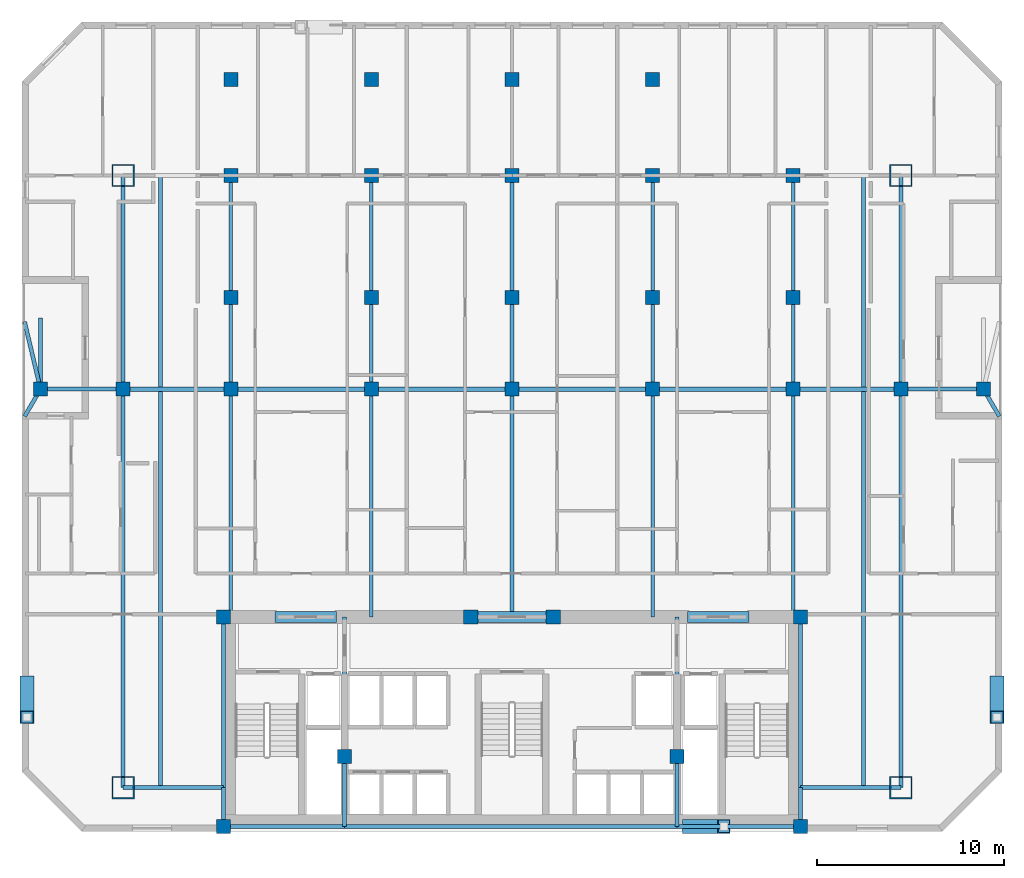
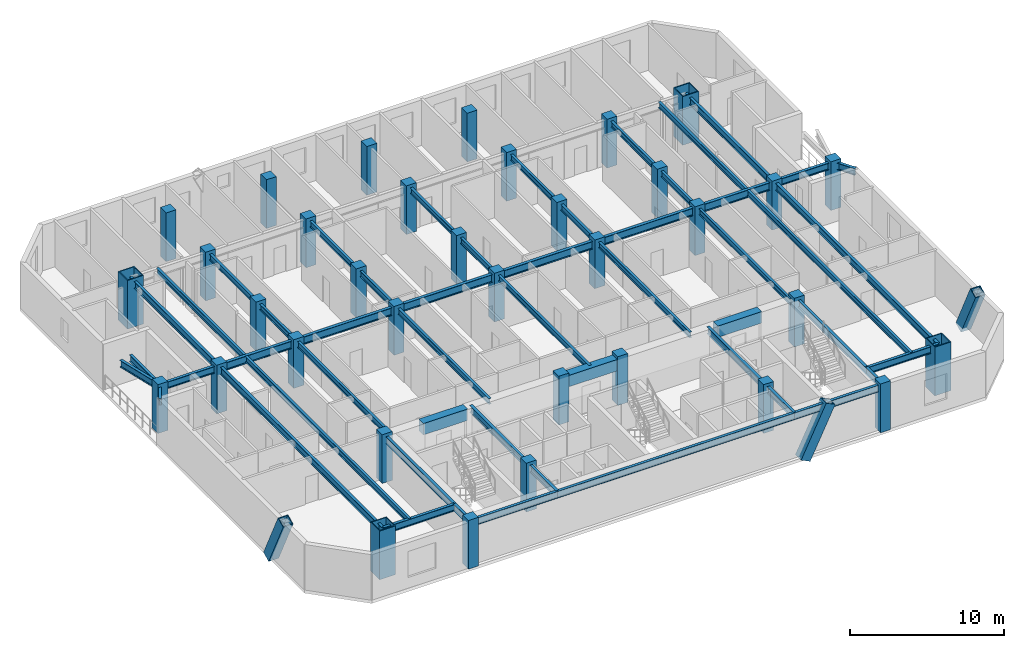
# One storey, part 1 of 11: 46 beams, 35 columns, 3 members.
"""IFC4 building model written with IfcOpenShell, lengths in metres."""

from ifc_helpers import new_model, si_unit, direction, frame, origin, origin_2d, place, context, subcontext, project, spatial, rectangle, hollow_rectangle, i_section, extrude, material, material_profile, profile_set, type_object, element, save


model = new_model("IFC4")

# Units and contexts
model_context = context("Model", 3, precision=1e-05, world=origin(), true_north=direction((0.0, 1.0)))
body_context = subcontext(model_context, "Body", "Model", "MODEL_VIEW")
ifc_project = project(units=[si_unit("LENGTHUNIT", "METRE"), si_unit("AREAUNIT", "SQUARE_METRE"), si_unit("VOLUMEUNIT", "CUBIC_METRE"), si_unit("PLANEANGLEUNIT", "RADIAN"), si_unit("MASSUNIT", "GRAM", prefix="KILO")], contexts=[model_context])

# Site, building, storey
site_placement = place(None, origin())
site = spatial("IfcSite", under=ifc_project, at=site_placement, CompositionType="ELEMENT")
building_placement = place(site_placement, origin())
building = spatial("IfcBuilding", under=site, at=building_placement, Name="Ventersveld Concourse Tower", CompositionType="ELEMENT")
storey_placement = place(building_placement, frame((0.0, 0.0, 111.85009765625)))
storey = spatial("IfcBuildingStorey", under=building, at=storey_placement, Name="L27", CompositionType="ELEMENT", Elevation=111.85009765625)

# Columns
ifc_material_1 = material(Name="Concrete C50/60", Category="concrete")
ifc_material_profile_1 = material_profile(ifc_material_1, rectangle(XDim=0.75, YDim=0.75, at=origin_2d()), Name="RC 750x750")
ifc_profile_set_1 = profile_set([ifc_material_profile_1], Name="Concrete C50/60")
column_type_1 = type_object("IfcColumnType", Name="COL-RC750", PredefinedType="COLUMN", material=ifc_profile_set_1)
for number, where, z_axis, x_axis, name in (
    (1, (13.35009765625, 0.280029296875, 0.0), (0.0, 0.0, 1.0), (1.0, 0.0, 0.0), "L27 Core Spine Column CC-SW"),
    (2, (44.14990234375, 0.280029296875, 0.0), (0.0, 0.0, 1.0), (1.0, 0.0, 0.0), "L27 Core Spine Column CC-SE"),
    (3, (13.35009765625, 11.449951171875, 0.0), (0.0, 0.0, 1.0), (1.0, 0.0, 0.0), "L27 Core Spine Column CC-NW"),
    (4, (44.14990234375, 11.449951171875, 0.0), (0.0, 0.0, 1.0), (1.0, 0.0, 0.0), "L27 Core Spine Column CC-NE"),
    (5, (19.820068359375, 4.0, 0.0), (0.0, 0.0, 1.0), (1.0, 0.0, 0.0), "L27 Core Spine Column CM-1"),
    (6, (37.550048828125, 4.0, 0.0), (0.0, 0.0, 1.0), (1.0, 0.0, 0.0), "L27 Core Spine Column CM-2"),
    (7, (26.550048828125, 11.449951171875, 0.0), (0.0, 0.0, 1.0), (1.0, 0.0, 0.0), "L27 Core Spine Column CM-3"),
    (8, (30.949951171875, 11.449951171875, 0.0), (0.0, 0.0, 1.0), (1.0, 0.0, 0.0), "L27 Core Spine Column CM-4"),
    (9, (3.60009765625, 23.60009765625, 0.0), (0.0, 0.0, 1.0), (1.0, 0.0, 0.0), "L27 Interior Gravity Column X=3.60 Y=23.60"),
    (10, (8.0, 23.60009765625, 0.0), (0.0, 0.0, 1.0), (1.0, 0.0, 0.0), "L27 Interior Gravity Column X=8.00 Y=23.60"),
    (11, (13.75, 23.60009765625, 0.0), (0.0, 0.0, 1.0), (1.0, 0.0, 0.0), "L27 Interior Gravity Column X=13.75 Y=23.60"),
    (12, (21.25, 23.60009765625, 0.0), (0.0, 0.0, 1.0), (1.0, 0.0, 0.0), "L27 Interior Gravity Column X=21.25 Y=23.60"),
    (13, (28.75, 23.60009765625, 0.0), (0.0, 0.0, 1.0), (1.0, 0.0, 0.0), "L27 Interior Gravity Column X=28.75 Y=23.60"),
    (14, (36.25, 23.60009765625, 0.0), (0.0, 0.0, 1.0), (1.0, 0.0, 0.0), "L27 Interior Gravity Column X=36.25 Y=23.60"),
    (15, (43.75, 23.60009765625, 0.0), (0.0, 0.0, 1.0), (1.0, 0.0, 0.0), "L27 Interior Gravity Column X=43.75 Y=23.60"),
    (16, (49.5, 23.60009765625, 0.0), (0.0, 0.0, 1.0), (1.0, 0.0, 0.0), "L27 Interior Gravity Column X=49.50 Y=23.60"),
    (17, (53.89990234375, 23.60009765625, 0.0), (0.0, 0.0, 1.0), (1.0, 0.0, 0.0), "L27 Interior Gravity Column X=53.90 Y=23.60"),
    (18, (13.75, 28.5, 0.0), (0.0, 0.0, 1.0), (1.0, 0.0, 0.0), "L27 Upper-North Gravity Column X=13.75 Y=28.50"),
    (19, (21.25, 28.5, 0.0), (0.0, 0.0, 1.0), (1.0, 0.0, 0.0), "L27 Upper-North Gravity Column X=21.25 Y=28.50"),
    (20, (28.75, 28.5, 0.0), (0.0, 0.0, 1.0), (1.0, 0.0, 0.0), "L27 Upper-North Gravity Column X=28.75 Y=28.50"),
    (21, (36.25, 28.5, 0.0), (0.0, 0.0, 1.0), (1.0, 0.0, 0.0), "L27 Upper-North Gravity Column X=36.25 Y=28.50"),
    (22, (43.75, 28.5, 0.0), (0.0, 0.0, 1.0), (1.0, 0.0, 0.0), "L27 Upper-North Gravity Column X=43.75 Y=28.50"),
    (23, (13.75, 40.1201171875, 0.0), (0.0, 0.0, 1.0), (1.0, 0.0, 0.0), "L27 North Brace Node Column X=13.75 Y=40.12"),
    (24, (21.25, 40.1201171875, 0.0), (0.0, 0.0, 1.0), (1.0, 0.0, 0.0), "L27 North Brace Node Column X=21.25 Y=40.12"),
    (25, (28.75, 40.1201171875, 0.0), (0.0, 0.0, 1.0), (1.0, 0.0, 0.0), "L27 North Brace Node Column X=28.75 Y=40.12"),
    (26, (36.25, 40.1201171875, 0.0), (0.0, 0.0, 1.0), (1.0, 0.0, 0.0), "L27 North Brace Node Column X=36.25 Y=40.12"),
    (27, (13.75, 35.0, 0.0), (0.0, 0.0, 1.0), (1.0, 0.0, 0.0), "L27 Mid-North Column X=13.75 Y=35.00"),
    (28, (21.25, 35.0, 0.0), (0.0, 0.0, 1.0), (1.0, 0.0, 0.0), "L27 Mid-North Column X=21.25 Y=35.00"),
    (29, (28.75, 35.0, 0.0), (0.0, 0.0, 1.0), (1.0, 0.0, 0.0), "L27 Mid-North Column X=28.75 Y=35.00"),
    (30, (36.25, 35.0, 0.0), (0.0, 0.0, 1.0), (1.0, 0.0, 0.0), "L27 Mid-North Column X=36.25 Y=35.00"),
    (31, (43.75, 35.0, 0.0), (0.0, 0.0, 1.0), (1.0, 0.0, 0.0), "L27 Mid-North Column X=43.75 Y=35.00"),
):
    element("IfcColumn", number, at=place(storey_placement, frame(where, z_axis=z_axis, x_axis=x_axis)), inside=storey, type_object=column_type_1, Name=name, PredefinedType="COLUMN", context=body_context, shape_type="SweptSolid", body=[
        extrude(rectangle(XDim=0.75, YDim=0.75, at=origin_2d()), origin(), (0.0, 0.0, 1.0), 3.849853515625),
    ])
ifc_material_2 = material(Name="Structural steel S460ML", Category="steel")
ifc_material_profile_2 = material_profile(ifc_material_2, hollow_rectangle(XDim=1.199951171875, YDim=1.199951171875, WallThickness=0.070068359375, at=origin_2d()), Name="BOX 1200x1200x70")
ifc_profile_set_2 = profile_set([ifc_material_profile_2], Name="Structural steel S460ML")
column_type_2 = type_object("IfcColumnType", Name="MC-1200", PredefinedType="USERDEFINED", material=ifc_profile_set_2)
for number, where, z_axis, x_axis, name in (
    (32, (8.0, 2.35009765625, 0.0), (0.0, 0.0, 1.0), (1.0, 0.0, 0.0), "L27 Corner Mega-Column MC-SW"),
    (33, (49.5, 2.35009765625, 0.0), (0.0, 0.0, 1.0), (1.0, 0.0, 0.0), "L27 Corner Mega-Column MC-SE"),
    (34, (49.5, 35.0, 0.0), (0.0, 0.0, 1.0), (1.0, 0.0, 0.0), "L27 Corner Mega-Column MC-NE"),
    (35, (8.0, 35.0, 0.0), (0.0, 0.0, 1.0), (1.0, 0.0, 0.0), "L27 Corner Mega-Column MC-NW"),
):
    element("IfcColumn", number, at=place(storey_placement, frame(where, z_axis=z_axis, x_axis=x_axis)), inside=storey, type_object=column_type_2, Name=name, ObjectType="MEGA_COLUMN", PredefinedType="USERDEFINED", context=body_context, shape_type="SweptSolid", body=[
        extrude(hollow_rectangle(XDim=1.199951171875, YDim=1.199951171875, WallThickness=0.070068359375, at=origin_2d()), origin(), (0.0, 0.0, 1.0), 3.849853515625),
    ])

# Beams
ifc_material_3 = material(Name="Structural steel S355J2", Category="steel")
ifc_material_profile_3 = material_profile(ifc_material_3, i_section(OverallWidth=0.18994140625, OverallDepth=0.453369140625, WebThickness=0.008544921875, FlangeThickness=0.0126953125, FilletRadius=0.01025390625, at=origin_2d()), Name="UB 457x191x67")
ifc_profile_set_3 = profile_set([ifc_material_profile_3], Name="Structural steel S355J2")
beam_type_1 = type_object("IfcBeamType", Name="BM-UB457", PredefinedType="BEAM", material=ifc_profile_set_3)
beam_1_placement = place(storey_placement, frame((10.0, 2.35009765625, 3.373291015625), z_axis=(0.0, 1.0, 0.0), x_axis=(-1.0, 0.0, 0.0)))
element("IfcBeam", 36, at=beam_1_placement, inside=storey, type_object=beam_type_1, Name="L27 N-S Composite Floor Beam South X=10.00", PredefinedType="BEAM", context=body_context, shape_type="SweptSolid", body=[
    extrude(i_section(OverallWidth=0.18994140625, OverallDepth=0.453369140625, WebThickness=0.008544921875, FlangeThickness=0.0126953125, FilletRadius=0.01025390625, at=origin_2d()), origin(), (0.0, 0.0, 1.0), 21.15478515625),
])
beam_2_placement = place(storey_placement, frame((10.0, 23.695068359375, 3.373291015625), z_axis=(0.0, 1.0, 0.0), x_axis=(-1.0, 0.0, 0.0)))
element("IfcBeam", 37, at=beam_2_placement, inside=storey, type_object=beam_type_1, Name="L27 N-S Composite Floor Beam Mid X=10.00", PredefinedType="BEAM", context=body_context, shape_type="SweptSolid", body=[
    extrude(i_section(OverallWidth=0.18994140625, OverallDepth=0.453369140625, WebThickness=0.008544921875, FlangeThickness=0.0126953125, FilletRadius=0.01025390625, at=origin_2d()), origin(), (0.0, 0.0, 1.0), 11.304931640625),
])
beam_3_placement = place(storey_placement, frame((13.75, 11.449951171875, 3.373291015625), z_axis=(0.0, 1.0, 0.0), x_axis=(-1.0, 0.0, 0.0)))
element("IfcBeam", 38, at=beam_3_placement, inside=storey, type_object=beam_type_1, Name="L27 N-S Composite Floor Beam South X=13.75", PredefinedType="BEAM", context=body_context, shape_type="SweptSolid", body=[
    extrude(i_section(OverallWidth=0.18994140625, OverallDepth=0.453369140625, WebThickness=0.008544921875, FlangeThickness=0.0126953125, FilletRadius=0.01025390625, at=origin_2d()), origin(), (0.0, 0.0, 1.0), 12.150146484375),
])
beam_4_placement = place(storey_placement, frame((13.75, 23.60009765625, 3.373291015625), z_axis=(0.0, 1.0, 0.0), x_axis=(-1.0, 0.0, 0.0)))
element("IfcBeam", 39, at=beam_4_placement, inside=storey, type_object=beam_type_1, Name="L27 N-S Composite Floor Beam Mid X=13.75", PredefinedType="BEAM", context=body_context, shape_type="SweptSolid", body=[
    extrude(i_section(OverallWidth=0.18994140625, OverallDepth=0.453369140625, WebThickness=0.008544921875, FlangeThickness=0.0126953125, FilletRadius=0.01025390625, at=origin_2d()), origin(), (0.0, 0.0, 1.0), 11.39990234375),
])
beam_5_placement = place(storey_placement, frame((21.25, 11.449951171875, 3.373291015625), z_axis=(0.0, 1.0, 0.0), x_axis=(-1.0, 0.0, 0.0)))
element("IfcBeam", 40, at=beam_5_placement, inside=storey, type_object=beam_type_1, Name="L27 N-S Composite Floor Beam South X=21.25", PredefinedType="BEAM", context=body_context, shape_type="SweptSolid", body=[
    extrude(i_section(OverallWidth=0.18994140625, OverallDepth=0.453369140625, WebThickness=0.008544921875, FlangeThickness=0.0126953125, FilletRadius=0.01025390625, at=origin_2d()), origin(), (0.0, 0.0, 1.0), 12.150146484375),
])
beam_6_placement = place(storey_placement, frame((21.25, 23.60009765625, 3.373291015625), z_axis=(0.0, 1.0, 0.0), x_axis=(-1.0, 0.0, 0.0)))
element("IfcBeam", 41, at=beam_6_placement, inside=storey, type_object=beam_type_1, Name="L27 N-S Composite Floor Beam Mid X=21.25", PredefinedType="BEAM", context=body_context, shape_type="SweptSolid", body=[
    extrude(i_section(OverallWidth=0.18994140625, OverallDepth=0.453369140625, WebThickness=0.008544921875, FlangeThickness=0.0126953125, FilletRadius=0.01025390625, at=origin_2d()), origin(), (0.0, 0.0, 1.0), 11.39990234375),
])
beam_7_placement = place(storey_placement, frame((28.75, 11.449951171875, 3.373291015625), z_axis=(0.0, 1.0, 0.0), x_axis=(-1.0, 0.0, 0.0)))
element("IfcBeam", 42, at=beam_7_placement, inside=storey, type_object=beam_type_1, Name="L27 N-S Composite Floor Beam South X=28.75", PredefinedType="BEAM", context=body_context, shape_type="SweptSolid", body=[
    extrude(i_section(OverallWidth=0.18994140625, OverallDepth=0.453369140625, WebThickness=0.008544921875, FlangeThickness=0.0126953125, FilletRadius=0.01025390625, at=origin_2d()), origin(), (0.0, 0.0, 1.0), 12.150146484375),
])
beam_8_placement = place(storey_placement, frame((28.75, 23.60009765625, 3.373291015625), z_axis=(0.0, 1.0, 0.0), x_axis=(-1.0, 0.0, 0.0)))
element("IfcBeam", 43, at=beam_8_placement, inside=storey, type_object=beam_type_1, Name="L27 N-S Composite Floor Beam Mid X=28.75", PredefinedType="BEAM", context=body_context, shape_type="SweptSolid", body=[
    extrude(i_section(OverallWidth=0.18994140625, OverallDepth=0.453369140625, WebThickness=0.008544921875, FlangeThickness=0.0126953125, FilletRadius=0.01025390625, at=origin_2d()), origin(), (0.0, 0.0, 1.0), 11.39990234375),
])
beam_9_placement = place(storey_placement, frame((36.25, 11.449951171875, 3.373291015625), z_axis=(0.0, 1.0, 0.0), x_axis=(-1.0, 0.0, 0.0)))
element("IfcBeam", 44, at=beam_9_placement, inside=storey, type_object=beam_type_1, Name="L27 N-S Composite Floor Beam South X=36.25", PredefinedType="BEAM", context=body_context, shape_type="SweptSolid", body=[
    extrude(i_section(OverallWidth=0.18994140625, OverallDepth=0.453369140625, WebThickness=0.008544921875, FlangeThickness=0.0126953125, FilletRadius=0.01025390625, at=origin_2d()), origin(), (0.0, 0.0, 1.0), 12.150146484375),
])
beam_10_placement = place(storey_placement, frame((36.25, 23.60009765625, 3.373291015625), z_axis=(0.0, 1.0, 0.0), x_axis=(-1.0, 0.0, 0.0)))
element("IfcBeam", 45, at=beam_10_placement, inside=storey, type_object=beam_type_1, Name="L27 N-S Composite Floor Beam Mid X=36.25", PredefinedType="BEAM", context=body_context, shape_type="SweptSolid", body=[
    extrude(i_section(OverallWidth=0.18994140625, OverallDepth=0.453369140625, WebThickness=0.008544921875, FlangeThickness=0.0126953125, FilletRadius=0.01025390625, at=origin_2d()), origin(), (0.0, 0.0, 1.0), 11.39990234375),
])
beam_11_placement = place(storey_placement, frame((43.75, 11.449951171875, 3.373291015625), z_axis=(0.0, 1.0, 0.0), x_axis=(-1.0, 0.0, 0.0)))
element("IfcBeam", 46, at=beam_11_placement, inside=storey, type_object=beam_type_1, Name="L27 N-S Composite Floor Beam South X=43.75", PredefinedType="BEAM", context=body_context, shape_type="SweptSolid", body=[
    extrude(i_section(OverallWidth=0.18994140625, OverallDepth=0.453369140625, WebThickness=0.008544921875, FlangeThickness=0.0126953125, FilletRadius=0.01025390625, at=origin_2d()), origin(), (0.0, 0.0, 1.0), 12.150146484375),
])
beam_12_placement = place(storey_placement, frame((43.75, 23.60009765625, 3.373291015625), z_axis=(0.0, 1.0, 0.0), x_axis=(-1.0, 0.0, 0.0)))
element("IfcBeam", 47, at=beam_12_placement, inside=storey, type_object=beam_type_1, Name="L27 N-S Composite Floor Beam Mid X=43.75", PredefinedType="BEAM", context=body_context, shape_type="SweptSolid", body=[
    extrude(i_section(OverallWidth=0.18994140625, OverallDepth=0.453369140625, WebThickness=0.008544921875, FlangeThickness=0.0126953125, FilletRadius=0.01025390625, at=origin_2d()), origin(), (0.0, 0.0, 1.0), 11.39990234375),
])
beam_13_placement = place(storey_placement, frame((47.5, 2.35009765625, 3.373291015625), z_axis=(0.0, 1.0, 0.0), x_axis=(-1.0, 0.0, 0.0)))
element("IfcBeam", 48, at=beam_13_placement, inside=storey, type_object=beam_type_1, Name="L27 N-S Composite Floor Beam South X=47.50", PredefinedType="BEAM", context=body_context, shape_type="SweptSolid", body=[
    extrude(i_section(OverallWidth=0.18994140625, OverallDepth=0.453369140625, WebThickness=0.008544921875, FlangeThickness=0.0126953125, FilletRadius=0.01025390625, at=origin_2d()), origin(), (0.0, 0.0, 1.0), 21.15478515625),
])
beam_14_placement = place(storey_placement, frame((47.5, 23.695068359375, 3.373291015625), z_axis=(0.0, 1.0, 0.0), x_axis=(-1.0, 0.0, 0.0)))
element("IfcBeam", 49, at=beam_14_placement, inside=storey, type_object=beam_type_1, Name="L27 N-S Composite Floor Beam Mid X=47.50", PredefinedType="BEAM", context=body_context, shape_type="SweptSolid", body=[
    extrude(i_section(OverallWidth=0.18994140625, OverallDepth=0.453369140625, WebThickness=0.008544921875, FlangeThickness=0.0126953125, FilletRadius=0.01025390625, at=origin_2d()), origin(), (0.0, 0.0, 1.0), 11.304931640625),
])
ifc_material_4 = material(Name="Concrete C60/75", Category="concrete")
ifc_material_profile_4 = material_profile(ifc_material_4, rectangle(XDim=0.60009765625, YDim=0.89990234375, at=origin_2d()), Name="RC 600x900")
ifc_profile_set_4 = profile_set([ifc_material_profile_4], Name="Concrete C60/75")
beam_type_2 = type_object("IfcBeamType", Name="CB-RC600x900L", PredefinedType="LINTEL", material=ifc_profile_set_4)
beam_15_placement = place(storey_placement, frame((16.10009765625, 11.449951171875, 3.14990234375), z_axis=(1.0, 0.0, 0.0), x_axis=(0.0, 1.0, 0.0)))
element("IfcBeam", 50, at=beam_15_placement, inside=storey, type_object=beam_type_2, Name="L27 Core Coupling Lintel Beam 1", PredefinedType="LINTEL", context=body_context, shape_type="SweptSolid", body=[
    extrude(rectangle(XDim=0.60009765625, YDim=0.89990234375, at=origin_2d()), origin(), (0.0, 0.0, 1.0), 3.2998046875),
])
beam_16_placement = place(storey_placement, frame((26.5, 11.449951171875, 3.14990234375), z_axis=(1.0, 0.0, 0.0), x_axis=(0.0, 1.0, 0.0)))
element("IfcBeam", 51, at=beam_16_placement, inside=storey, type_object=beam_type_2, Name="L27 Core Coupling Lintel Beam 2", PredefinedType="LINTEL", context=body_context, shape_type="SweptSolid", body=[
    extrude(rectangle(XDim=0.60009765625, YDim=0.89990234375, at=origin_2d()), origin(), (0.0, 0.0, 1.0), 4.5),
])
beam_17_placement = place(storey_placement, frame((38.10009765625, 11.449951171875, 3.14990234375), z_axis=(1.0, 0.0, 0.0), x_axis=(0.0, 1.0, 0.0)))
element("IfcBeam", 52, at=beam_17_placement, inside=storey, type_object=beam_type_2, Name="L27 Core Coupling Lintel Beam 3", PredefinedType="LINTEL", context=body_context, shape_type="SweptSolid", body=[
    extrude(rectangle(XDim=0.60009765625, YDim=0.89990234375, at=origin_2d()), origin(), (0.0, 0.0, 1.0), 3.2998046875),
])
ifc_material_profile_5 = material_profile(ifc_material_3, i_section(OverallWidth=0.2119140625, OverallDepth=0.54443359375, WebThickness=0.0126953125, FlangeThickness=0.021240234375, FilletRadius=0.0126953125, at=origin_2d()), Name="UB 533x210x122")
ifc_profile_set_5 = profile_set([ifc_material_profile_5], Name="Structural steel S355J2")
beam_type_3 = type_object("IfcBeamType", Name="GRD-UB533H", PredefinedType="T_BEAM", material=ifc_profile_set_5)
beam_18_placement = place(storey_placement, frame((13.35009765625, 0.280029296875, 3.32763671875), z_axis=(0.0, 1.0, 0.0), x_axis=(-1.0, 0.0, 0.0)))
element("IfcBeam", 53, at=beam_18_placement, inside=storey, type_object=beam_type_3, Name="L27 Core West Tie Beam S", PredefinedType="T_BEAM", context=body_context, shape_type="SweptSolid", body=[
    extrude(i_section(OverallWidth=0.2119140625, OverallDepth=0.54443359375, WebThickness=0.0126953125, FlangeThickness=0.021240234375, FilletRadius=0.0126953125, at=origin_2d()), origin(), (0.0, 0.0, 1.0), 2.070068359375),
])
beam_19_placement = place(storey_placement, frame((13.35009765625, 2.35009765625, 3.32763671875), z_axis=(0.0, 1.0, 0.0), x_axis=(-1.0, 0.0, 0.0)))
element("IfcBeam", 54, at=beam_19_placement, inside=storey, type_object=beam_type_3, Name="L27 Core West Tie Beam N", PredefinedType="T_BEAM", context=body_context, shape_type="SweptSolid", body=[
    extrude(i_section(OverallWidth=0.2119140625, OverallDepth=0.54443359375, WebThickness=0.0126953125, FlangeThickness=0.021240234375, FilletRadius=0.0126953125, at=origin_2d()), origin(), (0.0, 0.0, 1.0), 9.099853515625),
])
beam_20_placement = place(storey_placement, frame((44.14990234375, 0.280029296875, 3.32763671875), z_axis=(0.0, 1.0, 0.0), x_axis=(-1.0, 0.0, 0.0)))
element("IfcBeam", 55, at=beam_20_placement, inside=storey, type_object=beam_type_3, Name="L27 Core East Tie Beam S", PredefinedType="T_BEAM", context=body_context, shape_type="SweptSolid", body=[
    extrude(i_section(OverallWidth=0.2119140625, OverallDepth=0.54443359375, WebThickness=0.0126953125, FlangeThickness=0.021240234375, FilletRadius=0.0126953125, at=origin_2d()), origin(), (0.0, 0.0, 1.0), 2.070068359375),
])
beam_21_placement = place(storey_placement, frame((44.14990234375, 2.35009765625, 3.32763671875), z_axis=(0.0, 1.0, 0.0), x_axis=(-1.0, 0.0, 0.0)))
element("IfcBeam", 56, at=beam_21_placement, inside=storey, type_object=beam_type_3, Name="L27 Core East Tie Beam N", PredefinedType="T_BEAM", context=body_context, shape_type="SweptSolid", body=[
    extrude(i_section(OverallWidth=0.2119140625, OverallDepth=0.54443359375, WebThickness=0.0126953125, FlangeThickness=0.021240234375, FilletRadius=0.0126953125, at=origin_2d()), origin(), (0.0, 0.0, 1.0), 9.099853515625),
])
beam_22_placement = place(storey_placement, frame((13.35009765625, 0.280029296875, 3.32763671875), z_axis=(1.0, 0.0, 0.0), x_axis=(0.0, 1.0, 0.0)))
element("IfcBeam", 57, at=beam_22_placement, inside=storey, type_object=beam_type_3, Name="L27 Core South Tie Beam W", PredefinedType="T_BEAM", context=body_context, shape_type="SweptSolid", body=[
    extrude(i_section(OverallWidth=0.2119140625, OverallDepth=0.54443359375, WebThickness=0.0126953125, FlangeThickness=0.021240234375, FilletRadius=0.0126953125, at=origin_2d()), origin(), (0.0, 0.0, 1.0), 6.469970703125),
])
beam_23_placement = place(storey_placement, frame((19.820068359375, 0.280029296875, 3.32763671875), z_axis=(1.0, 0.0, 0.0), x_axis=(0.0, 1.0, 0.0)))
element("IfcBeam", 58, at=beam_23_placement, inside=storey, type_object=beam_type_3, Name="L27 Core South Tie Beam C", PredefinedType="T_BEAM", context=body_context, shape_type="SweptSolid", body=[
    extrude(i_section(OverallWidth=0.2119140625, OverallDepth=0.54443359375, WebThickness=0.0126953125, FlangeThickness=0.021240234375, FilletRadius=0.0126953125, at=origin_2d()), origin(), (0.0, 0.0, 1.0), 17.72998046875),
])
beam_24_placement = place(storey_placement, frame((37.550048828125, 0.280029296875, 3.32763671875), z_axis=(1.0, 0.0, 0.0), x_axis=(0.0, 1.0, 0.0)))
element("IfcBeam", 59, at=beam_24_placement, inside=storey, type_object=beam_type_3, Name="L27 Core South Tie Beam E", PredefinedType="T_BEAM", context=body_context, shape_type="SweptSolid", body=[
    extrude(i_section(OverallWidth=0.2119140625, OverallDepth=0.54443359375, WebThickness=0.0126953125, FlangeThickness=0.021240234375, FilletRadius=0.0126953125, at=origin_2d()), origin(), (0.0, 0.0, 1.0), 6.599853515625),
])
beam_25_placement = place(storey_placement, frame((19.820068359375, 0.280029296875, 3.32763671875), z_axis=(0.0, 1.0, 0.0), x_axis=(-1.0, 0.0, 0.0)))
element("IfcBeam", 60, at=beam_25_placement, inside=storey, type_object=beam_type_3, Name="L27 Core Spine N-S Tie Beam W1", PredefinedType="T_BEAM", context=body_context, shape_type="SweptSolid", body=[
    extrude(i_section(OverallWidth=0.2119140625, OverallDepth=0.54443359375, WebThickness=0.0126953125, FlangeThickness=0.021240234375, FilletRadius=0.0126953125, at=origin_2d()), origin(), (0.0, 0.0, 1.0), 3.719970703125),
])
beam_26_placement = place(storey_placement, frame((19.820068359375, 4.0, 3.32763671875), z_axis=(0.0, 1.0, 0.0), x_axis=(-1.0, 0.0, 0.0)))
element("IfcBeam", 61, at=beam_26_placement, inside=storey, type_object=beam_type_3, Name="L27 Core Spine N-S Tie Beam W2", PredefinedType="T_BEAM", context=body_context, shape_type="SweptSolid", body=[
    extrude(i_section(OverallWidth=0.2119140625, OverallDepth=0.54443359375, WebThickness=0.0126953125, FlangeThickness=0.021240234375, FilletRadius=0.0126953125, at=origin_2d()), origin(), (0.0, 0.0, 1.0), 7.449951171875),
])
beam_27_placement = place(storey_placement, frame((37.550048828125, 0.280029296875, 3.32763671875), z_axis=(0.0, 1.0, 0.0), x_axis=(-1.0, 0.0, 0.0)))
element("IfcBeam", 62, at=beam_27_placement, inside=storey, type_object=beam_type_3, Name="L27 Core Spine N-S Tie Beam E1", PredefinedType="T_BEAM", context=body_context, shape_type="SweptSolid", body=[
    extrude(i_section(OverallWidth=0.2119140625, OverallDepth=0.54443359375, WebThickness=0.0126953125, FlangeThickness=0.021240234375, FilletRadius=0.0126953125, at=origin_2d()), origin(), (0.0, 0.0, 1.0), 3.719970703125),
])
beam_28_placement = place(storey_placement, frame((37.550048828125, 4.0, 3.32763671875), z_axis=(0.0, 1.0, 0.0), x_axis=(-1.0, 0.0, 0.0)))
element("IfcBeam", 63, at=beam_28_placement, inside=storey, type_object=beam_type_3, Name="L27 Core Spine N-S Tie Beam E2", PredefinedType="T_BEAM", context=body_context, shape_type="SweptSolid", body=[
    extrude(i_section(OverallWidth=0.2119140625, OverallDepth=0.54443359375, WebThickness=0.0126953125, FlangeThickness=0.021240234375, FilletRadius=0.0126953125, at=origin_2d()), origin(), (0.0, 0.0, 1.0), 7.449951171875),
])
ifc_material_profile_6 = material_profile(ifc_material_3, i_section(OverallWidth=0.230224609375, OverallDepth=0.6171875, WebThickness=0.01318359375, FlangeThickness=0.022216796875, FilletRadius=0.0126953125, at=origin_2d()), Name="UB 610x229x140")
ifc_profile_set_6 = profile_set([ifc_material_profile_6], Name="Structural steel S355J2")
beam_type_4 = type_object("IfcBeamType", Name="GRD-UB610", PredefinedType="USERDEFINED", material=ifc_profile_set_6)
beam_29_placement = place(storey_placement, frame((8.0, 23.60009765625, 3.291259765625), z_axis=(1.0, 0.0, 0.0), x_axis=(0.0, 1.0, 0.0)))
element("IfcBeam", 64, at=beam_29_placement, inside=storey, type_object=beam_type_4, Name="L27 Primary E-W Grid Girder Y=23.60 #1", ObjectType="GIRDER", PredefinedType="USERDEFINED", context=body_context, shape_type="SweptSolid", body=[
    extrude(i_section(OverallWidth=0.230224609375, OverallDepth=0.6171875, WebThickness=0.01318359375, FlangeThickness=0.022216796875, FilletRadius=0.0126953125, at=origin_2d()), origin(), (0.0, 0.0, 1.0), 5.75),
])
for number, where, z_axis, x_axis, name in (
    (65, (13.75, 23.60009765625, 3.291259765625), (1.0, 0.0, 0.0), (0.0, 1.0, 0.0), "L27 Primary E-W Grid Girder Y=23.60 #2"),
    (66, (21.25, 23.60009765625, 3.291259765625), (1.0, 0.0, 0.0), (0.0, 1.0, 0.0), "L27 Primary E-W Grid Girder Y=23.60 #3"),
    (67, (28.75, 23.60009765625, 3.291259765625), (1.0, 0.0, 0.0), (0.0, 1.0, 0.0), "L27 Primary E-W Grid Girder Y=23.60 #4"),
    (68, (36.25, 23.60009765625, 3.291259765625), (1.0, 0.0, 0.0), (0.0, 1.0, 0.0), "L27 Primary E-W Grid Girder Y=23.60 #5"),
):
    element("IfcBeam", number, at=place(storey_placement, frame(where, z_axis=z_axis, x_axis=x_axis)), inside=storey, type_object=beam_type_4, Name=name, ObjectType="GIRDER", PredefinedType="USERDEFINED", context=body_context, shape_type="SweptSolid", body=[
        extrude(i_section(OverallWidth=0.230224609375, OverallDepth=0.6171875, WebThickness=0.01318359375, FlangeThickness=0.022216796875, FilletRadius=0.0126953125, at=origin_2d()), origin(), (0.0, 0.0, 1.0), 7.5),
    ])
beam_30_placement = place(storey_placement, frame((43.75, 23.60009765625, 3.291259765625), z_axis=(1.0, 0.0, 0.0), x_axis=(0.0, 1.0, 0.0)))
element("IfcBeam", 69, at=beam_30_placement, inside=storey, type_object=beam_type_4, Name="L27 Primary E-W Grid Girder Y=23.60 #6", ObjectType="GIRDER", PredefinedType="USERDEFINED", context=body_context, shape_type="SweptSolid", body=[
    extrude(i_section(OverallWidth=0.230224609375, OverallDepth=0.6171875, WebThickness=0.01318359375, FlangeThickness=0.022216796875, FilletRadius=0.0126953125, at=origin_2d()), origin(), (0.0, 0.0, 1.0), 5.75),
])

# Members
ifc_material_5 = material(Name="Structural steel S355ML", Category="steel")
ifc_material_profile_7 = material_profile(ifc_material_5, hollow_rectangle(XDim=0.75, YDim=0.75, WallThickness=0.044921875, at=origin_2d()), Name="BOX 750x750x45")
ifc_profile_set_7 = profile_set([ifc_material_profile_7], Name="Structural steel S355ML")
member_type = type_object("IfcMemberType", Name="MB-750x750", PredefinedType="BRACE", material=ifc_profile_set_7)
for number, where, z_axis, x_axis, name in (
    (70, (38.175048828125, 0.280029296875, -0.25), (0.437861906815, 0.0, 0.899042240699), (0.0, 1.0, 0.0), "L27 Exterior Mega-Brace S (Module M06)"),
    (71, (2.8798828125, 7.97509765625, -0.25), (0.0, -0.437861906815, 0.899042240699), (1.0, 0.0, 0.0), "L27 Exterior Mega-Brace W (Module M06)"),
    (72, (54.6201171875, 7.97509765625, -0.25), (0.0, -0.437861906815, 0.899042240699), (1.0, 0.0, 0.0), "L27 Exterior Mega-Brace E (Module M06)"),
):
    element("IfcMember", number, at=place(storey_placement, frame(where, z_axis=z_axis, x_axis=x_axis)), inside=storey, type_object=member_type, Name=name, PredefinedType="BRACE", context=body_context, shape_type="SweptSolid", body=[
        extrude(hollow_rectangle(XDim=0.75, YDim=0.75, WallThickness=0.044921875, at=origin_2d()), origin(), (0.0, 0.0, 1.0), 4.2822265625),
    ])

# Beams
ifc_material_profile_8 = material_profile(ifc_material_3, i_section(OverallWidth=0.2119140625, OverallDepth=0.54443359375, WebThickness=0.0126953125, FlangeThickness=0.021240234375, FilletRadius=0.0126953125, at=origin_2d()), Name="UB 533x210x122")
ifc_profile_set_8 = profile_set([ifc_material_profile_8], Name="Structural steel S355J2")
beam_type_5 = type_object("IfcBeamType", Name="SPD-UB533", PredefinedType="SPANDREL", material=ifc_profile_set_8)
for number, where, z_axis, x_axis, name in (
    (73, (8.0, 2.35009765625, 3.32763671875), (1.0, 0.0, 0.0), (0.0, 1.0, 0.0), "L27 SW Spandrel Beam"),
    (74, (44.14990234375, 2.35009765625, 3.32763671875), (1.0, 0.0, 0.0), (0.0, 1.0, 0.0), "L27 SE Spandrel Beam"),
):
    element("IfcBeam", number, at=place(storey_placement, frame(where, z_axis=z_axis, x_axis=x_axis)), inside=storey, type_object=beam_type_5, Name=name, PredefinedType="SPANDREL", context=body_context, shape_type="SweptSolid", body=[
        extrude(i_section(OverallWidth=0.2119140625, OverallDepth=0.54443359375, WebThickness=0.0126953125, FlangeThickness=0.021240234375, FilletRadius=0.0126953125, at=origin_2d()), origin(), (0.0, 0.0, 1.0), 5.35009765625),
    ])
beam_31_placement = place(storey_placement, frame((8.0, 2.35009765625, 3.32763671875), z_axis=(0.0, 1.0, 0.0), x_axis=(-1.0, 0.0, 0.0)))
element("IfcBeam", 75, at=beam_31_placement, inside=storey, type_object=beam_type_5, Name="L27 West Spandrel Beam S", PredefinedType="SPANDREL", context=body_context, shape_type="SweptSolid", body=[
    extrude(i_section(OverallWidth=0.2119140625, OverallDepth=0.54443359375, WebThickness=0.0126953125, FlangeThickness=0.021240234375, FilletRadius=0.0126953125, at=origin_2d()), origin(), (0.0, 0.0, 1.0), 21.25),
])
beam_32_placement = place(storey_placement, frame((8.0, 23.60009765625, 3.32763671875), z_axis=(0.0, 1.0, 0.0), x_axis=(-1.0, 0.0, 0.0)))
element("IfcBeam", 76, at=beam_32_placement, inside=storey, type_object=beam_type_5, Name="L27 West Spandrel Beam N", PredefinedType="SPANDREL", context=body_context, shape_type="SweptSolid", body=[
    extrude(i_section(OverallWidth=0.2119140625, OverallDepth=0.54443359375, WebThickness=0.0126953125, FlangeThickness=0.021240234375, FilletRadius=0.0126953125, at=origin_2d()), origin(), (0.0, 0.0, 1.0), 11.39990234375),
])
beam_33_placement = place(storey_placement, frame((49.5, 2.35009765625, 3.32763671875), z_axis=(0.0, 1.0, 0.0), x_axis=(-1.0, 0.0, 0.0)))
element("IfcBeam", 77, at=beam_33_placement, inside=storey, type_object=beam_type_5, Name="L27 East Spandrel Beam S", PredefinedType="SPANDREL", context=body_context, shape_type="SweptSolid", body=[
    extrude(i_section(OverallWidth=0.2119140625, OverallDepth=0.54443359375, WebThickness=0.0126953125, FlangeThickness=0.021240234375, FilletRadius=0.0126953125, at=origin_2d()), origin(), (0.0, 0.0, 1.0), 21.25),
])
beam_34_placement = place(storey_placement, frame((49.5, 23.60009765625, 3.32763671875), z_axis=(0.0, 1.0, 0.0), x_axis=(-1.0, 0.0, 0.0)))
element("IfcBeam", 78, at=beam_34_placement, inside=storey, type_object=beam_type_5, Name="L27 East Spandrel Beam N", PredefinedType="SPANDREL", context=body_context, shape_type="SweptSolid", body=[
    extrude(i_section(OverallWidth=0.2119140625, OverallDepth=0.54443359375, WebThickness=0.0126953125, FlangeThickness=0.021240234375, FilletRadius=0.0126953125, at=origin_2d()), origin(), (0.0, 0.0, 1.0), 11.39990234375),
])
beam_35_placement = place(storey_placement, frame((3.60009765625, 23.60009765625, 3.32763671875), z_axis=(0.0, 1.0, 0.0), x_axis=(-1.0, 0.0, 0.0)))
element("IfcBeam", 79, at=beam_35_placement, inside=storey, type_object=beam_type_5, Name="L27 West Valley Spine Girder", PredefinedType="SPANDREL", context=body_context, shape_type="SweptSolid", body=[
    extrude(i_section(OverallWidth=0.2119140625, OverallDepth=0.54443359375, WebThickness=0.0126953125, FlangeThickness=0.021240234375, FilletRadius=0.0126953125, at=origin_2d()), origin(), (0.0, 0.0, 1.0), 3.7998046875),
])
beam_36_placement = place(storey_placement, frame((3.60009765625, 23.60009765625, 3.32763671875), z_axis=(1.0, 0.0, 0.0), x_axis=(0.0, 1.0, 0.0)))
element("IfcBeam", 80, at=beam_36_placement, inside=storey, type_object=beam_type_5, Name="L27 West Valley Tie S", PredefinedType="SPANDREL", context=body_context, shape_type="SweptSolid", body=[
    extrude(i_section(OverallWidth=0.2119140625, OverallDepth=0.54443359375, WebThickness=0.0126953125, FlangeThickness=0.021240234375, FilletRadius=0.0126953125, at=origin_2d()), origin(), (0.0, 0.0, 1.0), 4.39990234375),
])
beam_37_placement = place(storey_placement, frame((2.75, 22.14990234375, 3.32763671875), z_axis=(0.505712045098, 0.862702340001, 0.0), x_axis=(-0.862702340001, 0.505712045098, 0.0)))
element("IfcBeam", 81, at=beam_37_placement, inside=storey, type_object=beam_type_5, Name="L27 West Valley Corner Bracket 1", PredefinedType="SPANDREL", context=body_context, shape_type="SweptSolid", body=[
    extrude(i_section(OverallWidth=0.2119140625, OverallDepth=0.54443359375, WebThickness=0.0126953125, FlangeThickness=0.021240234375, FilletRadius=0.0126953125, at=origin_2d()), origin(), (0.0, 0.0, 1.0), 1.680908203125),
])
beam_38_placement = place(storey_placement, frame((2.75, 27.199951171875, 3.32763671875), z_axis=(0.229826547993, -0.973231605445, 0.0), x_axis=(0.973231605445, 0.229826547993, 0.0)))
element("IfcBeam", 82, at=beam_38_placement, inside=storey, type_object=beam_type_5, Name="L27 West Valley Corner Bracket 2", PredefinedType="SPANDREL", context=body_context, shape_type="SweptSolid", body=[
    extrude(i_section(OverallWidth=0.2119140625, OverallDepth=0.54443359375, WebThickness=0.0126953125, FlangeThickness=0.021240234375, FilletRadius=0.0126953125, at=origin_2d()), origin(), (0.0, 0.0, 1.0), 3.698974609375),
])
beam_39_placement = place(storey_placement, frame((49.5, 23.60009765625, 3.32763671875), z_axis=(1.0, 0.0, 0.0), x_axis=(0.0, 1.0, 0.0)))
element("IfcBeam", 83, at=beam_39_placement, inside=storey, type_object=beam_type_5, Name="L27 East Valley Tie S", PredefinedType="SPANDREL", context=body_context, shape_type="SweptSolid", body=[
    extrude(i_section(OverallWidth=0.2119140625, OverallDepth=0.54443359375, WebThickness=0.0126953125, FlangeThickness=0.021240234375, FilletRadius=0.0126953125, at=origin_2d()), origin(), (0.0, 0.0, 1.0), 4.39990234375),
])
beam_40_placement = place(storey_placement, frame((53.89990234375, 23.60009765625, 3.32763671875), z_axis=(0.505712045098, -0.862702340001, 0.0), x_axis=(0.862702340001, 0.505712045098, 0.0)))
element("IfcBeam", 84, at=beam_40_placement, inside=storey, type_object=beam_type_5, Name="L27 East Valley Corner Bracket 1", PredefinedType="SPANDREL", context=body_context, shape_type="SweptSolid", body=[
    extrude(i_section(OverallWidth=0.2119140625, OverallDepth=0.54443359375, WebThickness=0.0126953125, FlangeThickness=0.021240234375, FilletRadius=0.0126953125, at=origin_2d()), origin(), (0.0, 0.0, 1.0), 1.680908203125),
])

save(model, "model.ifc")
